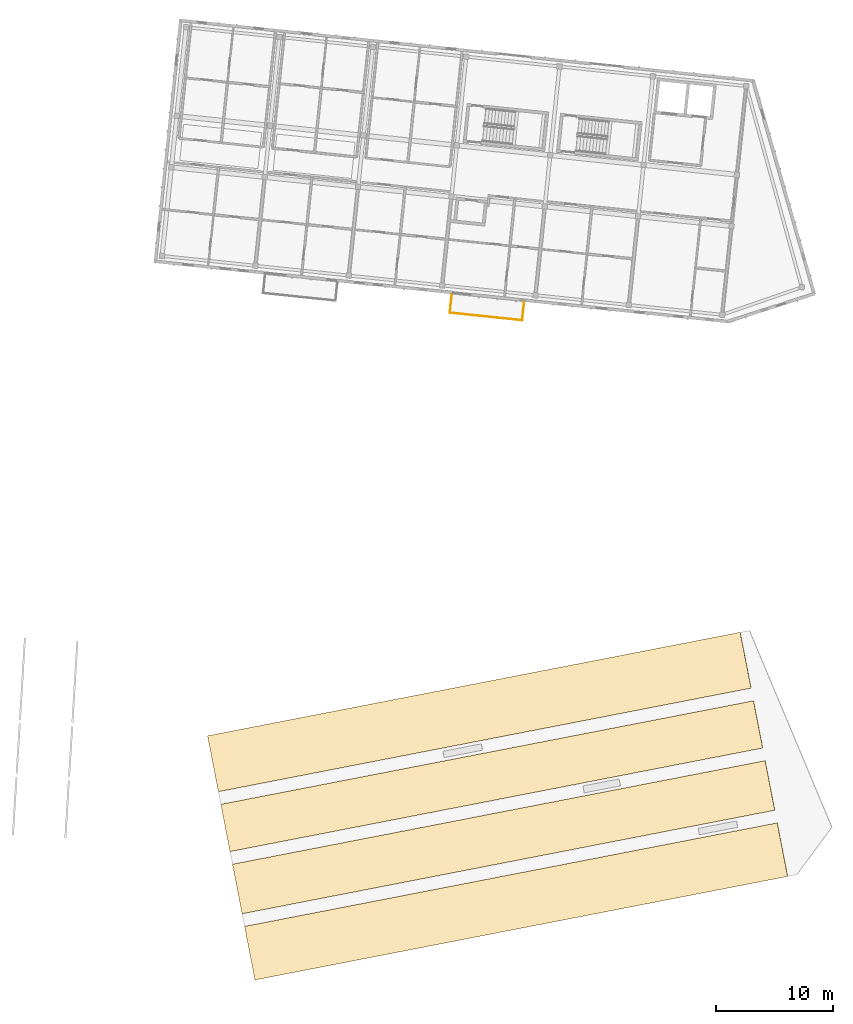
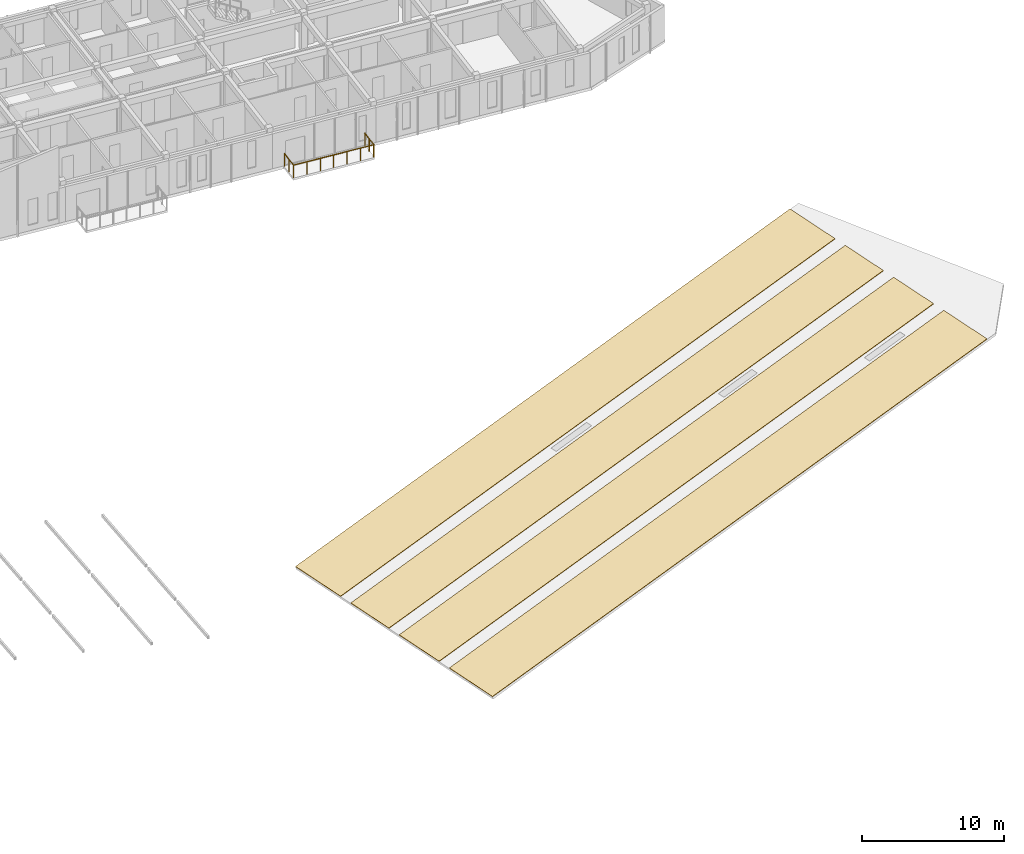
# One storey, part 41 of 45: 4 coverings, 1 railing.
"""IFC4 building model written with IfcOpenShell, lengths in metres."""

from ifc_helpers import new_model, si_unit, direction, frame, origin, origin_2d, place, context, subcontext, project, spatial, polyline, circle, outline, extrude, material, layer, layer_set, type_object, element, save


model = new_model("IFC4")

# Units and contexts
model_context = context("Model", 3, precision=1e-05, world=origin(), true_north=direction((0.0, 1.0)))
body_context = subcontext(model_context, "Body", "Model", "MODEL_VIEW")
ifc_project = project(units=[si_unit("LENGTHUNIT", "METRE"), si_unit("AREAUNIT", "SQUARE_METRE"), si_unit("VOLUMEUNIT", "CUBIC_METRE"), si_unit("PLANEANGLEUNIT", "RADIAN"), si_unit("MASSUNIT", "GRAM", prefix="KILO")], contexts=[model_context])

# Site, building, storey
site_placement = place(None, origin())
site = spatial("IfcSite", under=ifc_project, at=site_placement, CompositionType="ELEMENT")
building_placement = place(site_placement, origin())
building = spatial("IfcBuilding", under=site, at=building_placement, Name="Kestramere Prow Commons", CompositionType="ELEMENT")
storey_placement = place(building_placement, frame((0.0, 0.0, 31.14990234375)))
storey = spatial("IfcBuildingStorey", under=building, at=storey_placement, Name="L09", CompositionType="ELEMENT", Elevation=31.14990234375)

# Coverings
ifc_material_1 = material(Name="Fluoropolymer Standing-Seam Zinc-Aluminium Roofing", Category="aluminium")
ifc_layer = layer(ifc_material_1, 0.044921875)
ifc_layer_set = layer_set([ifc_layer], Name="Fluoropolymer Standing-Seam Zinc-Aluminium Roofing")
covering_type = type_object("IfcCoveringType", Name="COV-ROOF-SEAM", PredefinedType="ROOFING", material=ifc_layer_set)
covering_1_placement = place(storey_placement, frame((117.91455078125, 33.090576171875, -4.40478515625), z_axis=(-0.198943660765, -0.038672553621, 0.979247595574), x_axis=(0.96125602263, 0.186849437781, 0.202667576487)))
element("IfcCovering", 1, at=covering_1_placement, inside=storey, type_object=covering_type, Name="Block D Standing-Seam Prow Roofing Strip 1", PredefinedType="ROOFING", context=body_context, shape_type="SweptSolid", body=[
    extrude(outline(polyline([(0.0, 0.0), (47.2302744792502, -4.541248562091316e-16), (47.230117813219806, 4.650164586778907), (7.801561575138116e-05, 4.6501180024196795), (0.0, 0.0)])), origin(), (0.0, 0.0, -1.0), 0.044921875),
])
covering_2_placement = place(storey_placement, frame((116.8173828125, 38.735107421875, -4.40478515625), z_axis=(-0.198944306536, -0.038669231425, 0.979247595574), x_axis=(0.961256022629, 0.186849437783, 0.202667576488)))
element("IfcCovering", 2, at=covering_2_placement, inside=storey, type_object=covering_type, Name="Block D Standing-Seam Prow Roofing Strip 2", PredefinedType="ROOFING", context=body_context, shape_type="SweptSolid", body=[
    extrude(outline(polyline([(0.0, 0.0), (47.2302744792502, -9.679892521222144e-17), (47.230191090034985, 4.299966164066575), (0.0001512924309381436, 4.299919579871727), (0.0, 0.0)])), origin(), (0.0, 0.0, -1.0), 0.044921875),
])
covering_3_placement = place(storey_placement, frame((115.787109375, 44.035888671875, -4.40478515625), z_axis=(-0.19894368446, -0.038672431717, 0.979247595574), x_axis=(0.961255834428, 0.186850405988, 0.202667576488)))
element("IfcCovering", 3, at=covering_3_placement, inside=storey, type_object=covering_type, Name="Block D Standing-Seam Prow Roofing Strip 3", PredefinedType="ROOFING", context=body_context, shape_type="SweptSolid", body=[
    extrude(outline(polyline([(0.0, 0.0), (47.23003979762702, 1.449004016274881e-15), (47.23012896979802, 4.099969760683667), (-0.00014550942920688037, 4.100016345268337), (0.0, 0.0)])), origin(), (0.0, 0.0, -1.0), 0.044921875),
])
covering_4_placement = place(storey_placement, frame((114.794921875, 49.140380859375, -4.40478515625), z_axis=(-0.198944123618, -0.038670685396, 0.979247575319), x_axis=(0.961256782743, 0.186845421136, 0.20266767436)))
element("IfcCovering", 4, at=covering_4_placement, inside=storey, type_object=covering_type, Name="Block D Standing-Seam Prow Roofing Strip 4", PredefinedType="ROOFING", context=body_context, shape_type="SweptSolid", body=[
    extrude(outline(polyline([(0.0, 0.0), (47.229994180463294, -8.122707150989839e-17), (47.230118533731186, 4.850067822031594), (-0.0001559451217258978, 4.849874750085027), (0.0, 0.0)])), origin(), (0.0, 0.0, -1.0), 0.044921875),
])

# Railing
ifc_material_2 = material(Name="Powder-Coated Aluminium 6063-T6", Category="aluminium")
railing_type = type_object("IfcRailingType", Name="GRD-BALC-1100", PredefinedType="BALUSTRADE", material=ifc_material_2)
railing_placement = place(storey_placement, frame((134.69140625, 91.510986328125, 0.0)))
element("IfcRailing", 5, at=railing_placement, inside=storey, type_object=railing_type, Name="Block B L09 Balcony Guardrail 4", PredefinedType="BALUSTRADE", context=body_context, shape_type="SweptSolid", body=[
    extrude(circle(Radius=0.02392578125, at=origin_2d()), frame((0.0, 0.0, 1.076171875), z_axis=(-0.104538150424, -0.994520877159, 0.0), x_axis=(0.994520877159, -0.104538150424, 0.0)), (0.0, 0.0, 1.0), 1.56005859375),
    extrude(circle(Radius=0.02392578125, at=origin_2d()), frame((-0.1630859375, -1.551513671875, 1.076171875), z_axis=(0.99452399338, -0.104508500096, 0.0), x_axis=(0.104508500096, 0.99452399338, 0.0)), (0.0, 0.0, 1.0), 6.199951171875),
    extrude(circle(Radius=0.02392578125, at=origin_2d()), frame((6.0029296875, -2.199462890625, 1.076171875), z_axis=(0.104538150424, 0.994520877159, 0.0), x_axis=(-0.994520877159, 0.104538150424, 0.0)), (0.0, 0.0, 1.0), 1.56005859375),
    extrude(circle(Radius=0.02099609375, at=origin_2d()), origin(), (0.0, 0.0, 1.0), 1.052001953125),
    extrude(circle(Radius=0.02099609375, at=origin_2d()), frame((-0.08154296875, -0.77587890625, 0.0)), (0.0, 0.0, 1.0), 1.052001953125),
    extrude(circle(Radius=0.02099609375, at=origin_2d()), frame((-0.1630859375, -1.551513671875, 0.0)), (0.0, 0.0, 1.0), 1.052001953125),
    extrude(circle(Radius=0.02099609375, at=origin_2d()), frame((0.864501953125, -1.659423828125, 0.0)), (0.0, 0.0, 1.0), 1.052001953125),
    extrude(circle(Radius=0.02099609375, at=origin_2d()), frame((1.892333984375, -1.767578125, 0.0)), (0.0, 0.0, 1.0), 1.052001953125),
    extrude(circle(Radius=0.02099609375, at=origin_2d()), frame((2.919921875, -1.87548828125, 0.0)), (0.0, 0.0, 1.0), 1.052001953125),
    extrude(circle(Radius=0.02099609375, at=origin_2d()), frame((3.947509765625, -1.9833984375, 0.0)), (0.0, 0.0, 1.0), 1.052001953125),
    extrude(circle(Radius=0.02099609375, at=origin_2d()), frame((4.975341796875, -2.091552734375, 0.0)), (0.0, 0.0, 1.0), 1.052001953125),
    extrude(circle(Radius=0.02099609375, at=origin_2d()), frame((6.0029296875, -2.199462890625, 0.0)), (0.0, 0.0, 1.0), 1.052001953125),
    extrude(circle(Radius=0.02099609375, at=origin_2d()), frame((6.08447265625, -1.423828125, 0.0)), (0.0, 0.0, 1.0), 1.052001953125),
    extrude(circle(Radius=0.02099609375, at=origin_2d()), frame((6.166015625, -0.64794921875, 0.0)), (0.0, 0.0, 1.0), 1.052001953125),
])

save(model, "model.ifc")
